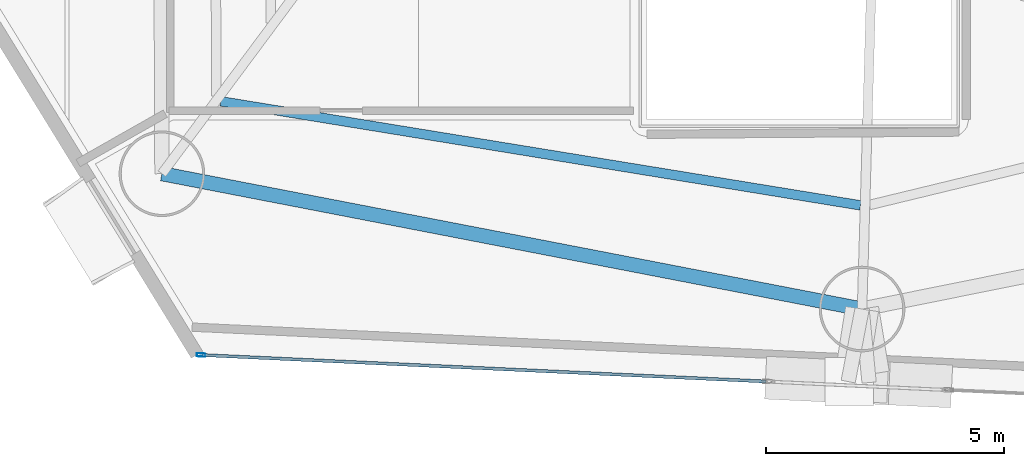
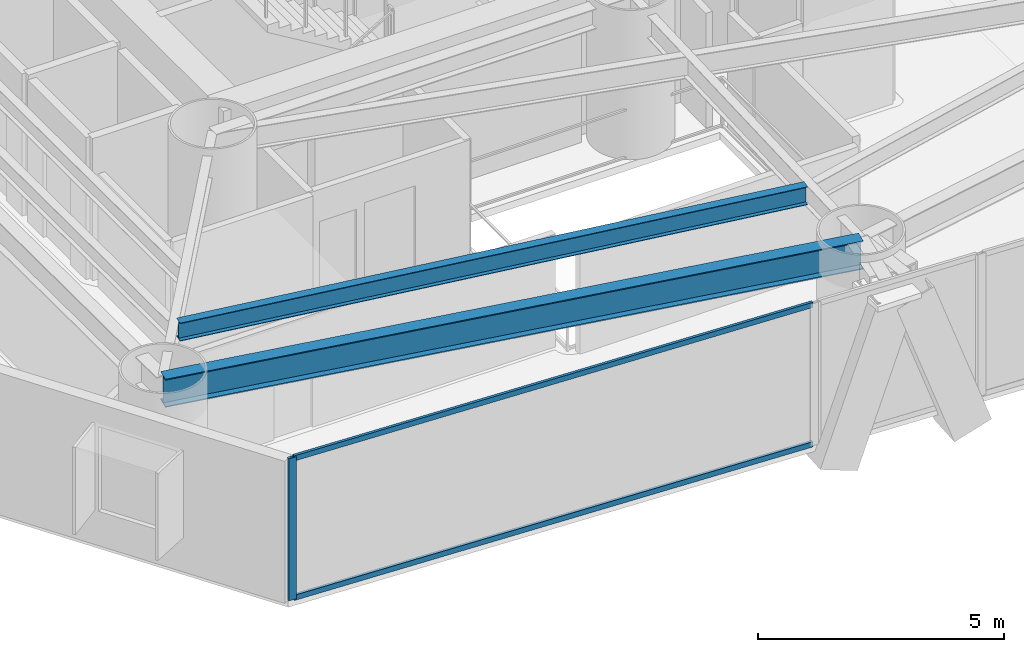
# One storey, part 2 of 23: 3 members, 2 beams, 1 element without a shape of its own.
"""IFC4 building model written with IfcOpenShell, lengths in metres."""

from ifc_helpers import new_model, si_unit, direction, frame, origin, origin_2d, place, context, subcontext, project, spatial, hollow_rectangle, i_section, extrude, material, layer, layer_set, material_profile, profile_set, type_object, element, aggregate, save


model = new_model("IFC4")

# Units and contexts
model_context = context("Model", 3, precision=1e-05, world=origin(), true_north=direction((0.0, 1.0)))
body_context = subcontext(model_context, "Body", "Model", "MODEL_VIEW")
ifc_project = project(units=[si_unit("LENGTHUNIT", "METRE"), si_unit("AREAUNIT", "SQUARE_METRE"), si_unit("VOLUMEUNIT", "CUBIC_METRE"), si_unit("PLANEANGLEUNIT", "RADIAN"), si_unit("MASSUNIT", "GRAM", prefix="KILO")], contexts=[model_context])

# Site, building, storey
site_placement = place(None, origin())
site = spatial("IfcSite", under=ifc_project, at=site_placement, CompositionType="ELEMENT")
building_placement = place(site_placement, origin())
building = spatial("IfcBuilding", under=site, at=building_placement, Name="Qianvela Tower", CompositionType="ELEMENT")
storey_placement = place(building_placement, frame((0.0, 0.0, 36.800048828125)))
storey = spatial("IfcBuildingStorey", under=building, at=storey_placement, Name="L08", CompositionType="ELEMENT", Elevation=36.800048828125)

# Beams
ifc_material_1 = material(Name="Steel Q355B", Category="steel")
ifc_material_profile_1 = material_profile(ifc_material_1, i_section(OverallWidth=0.199951171875, OverallDepth=0.449951171875, WebThickness=0.009033203125, FlangeThickness=0.013916015625, at=origin_2d()), Name="HN450x200x9x14")
ifc_profile_set_1 = profile_set([ifc_material_profile_1], Name="Steel Q355B")
beam_type_1 = type_object("IfcBeamType", Name="BM-HN450-JOIST", PredefinedType="JOIST", material=ifc_profile_set_1)
beam_1_placement = place(storey_placement, frame((24.641845703125, 18.38232421875, 3.29296875), z_axis=(0.987021609832, -0.160587489316, 0.0), x_axis=(0.160587489316, 0.987021609832, 0.0)))
element("IfcBeam", 1, at=beam_1_placement, inside=storey, type_object=beam_type_1, Name="L08 Secondary Composite Floor Joist 5.3", PredefinedType="JOIST", context=body_context, shape_type="SweptSolid", body=[
    extrude(i_section(OverallWidth=0.199951171875, OverallDepth=0.449951171875, WebThickness=0.009033203125, FlangeThickness=0.013916015625, at=origin_2d()), origin(), (0.0, 0.0, 1.0), 13.621826171875),
])
ifc_material_2 = material(Name="Steel Q355B", Category="steel")
ifc_material_profile_2 = material_profile(ifc_material_2, i_section(OverallWidth=0.300048828125, OverallDepth=0.699951171875, WebThickness=0.012939453125, FlangeThickness=0.02392578125, at=origin_2d()), Name="HN700x300x13x24")
ifc_profile_set_2 = profile_set([ifc_material_profile_2], Name="Steel Q355B")
beam_type_2 = type_object("IfcBeamType", Name="BM-HN700-SPAND", PredefinedType="SPANDREL", material=ifc_profile_set_2)
beam_2_placement = place(storey_placement, frame((23.404052734375, 16.860107421875, 3.16796875), z_axis=(0.981833040292, -0.189746886646, 0.0), x_axis=(0.189746886646, 0.981833040292, 0.0)))
element("IfcBeam", 2, at=beam_2_placement, inside=storey, type_object=beam_type_2, Name="L08 Perimeter Ring Spandrel Girder 5", PredefinedType="SPANDREL", context=body_context, shape_type="SweptSolid", body=[
    extrude(i_section(OverallWidth=0.300048828125, OverallDepth=0.699951171875, WebThickness=0.012939453125, FlangeThickness=0.02392578125, at=origin_2d()), origin(), (0.0, 0.0, 1.0), 14.98828125),
])

# Curtain wall, members
ifc_material_3 = material(Name="Anodised Architectural Aluminium and Low-E Glass", Category="aluminium")
ifc_layer = layer(ifc_material_3, 0.179931640625)
ifc_layer_set = layer_set([ifc_layer], Name="Anodised Architectural Aluminium and Low-E Glass")
curtain_wall_type = type_object("IfcCurtainWallType", Name="CW-COLIV-Z12", PredefinedType="USERDEFINED", material=ifc_layer_set)
curtain_wall_placement = place(storey_placement, origin())
curtain_wall = element("IfcCurtainWall", 3, at=curtain_wall_placement, inside=storey, type_object=curtain_wall_type, Name="L08 CW-COLIV-Z12 Curtain Wall 06A", ObjectType="CURTAIN_WALL_SYSTEM", PredefinedType="USERDEFINED")
ifc_material_4 = material(Name="Anodised Architectural Aluminium 6063-T6", Category="aluminium")
ifc_material_profile_3 = material_profile(ifc_material_4, hollow_rectangle(XDim=0.070068359375, YDim=0.179931640625, WallThickness=0.0048828125, at=origin_2d()), Name="ALU-MULL-70x180")
ifc_profile_set_3 = profile_set([ifc_material_profile_3], Name="Anodised Architectural Aluminium 6063-T6")
member_type_1 = type_object("IfcMemberType", Name="CW-COLIV-Z12-MULL", PredefinedType="MULLION", material=ifc_profile_set_3)
member_1_placement = place(storey_placement, frame((24.226318359375, 13.050048828125, 0.0), z_axis=(0.0, 0.0, 1.0), x_axis=(0.046880409477, 0.998900509164, 0.0)))
member_1 = element("IfcMember", 4, at=member_1_placement, type_object=member_type_1, Name="CW-3 mullion 1", PredefinedType="MULLION", context=body_context, shape_type="SweptSolid", body=[
    extrude(hollow_rectangle(XDim=0.070068359375, YDim=0.179931640625, WallThickness=0.0048828125, at=origin_2d()), origin(), (0.0, 0.0, 1.0), 3.52001953125),
])
ifc_material_5 = material(Name="Anodised Architectural Aluminium 6063-T6", Category="aluminium")
ifc_material_profile_4 = material_profile(ifc_material_5, hollow_rectangle(XDim=0.06494140625, YDim=0.1298828125, WallThickness=0.00439453125, at=origin_2d()), Name="ALU-TRAN-65x130")
ifc_profile_set_4 = profile_set([ifc_material_profile_4], Name="Anodised Architectural Aluminium 6063-T6")
member_type_2 = type_object("IfcMemberType", Name="CW-COLIV-Z12-TRAN", PredefinedType="USERDEFINED", material=ifc_profile_set_4)
member_2_placement = place(storey_placement, frame((24.26123046875, 13.04833984375, 0.032470703125), z_axis=(0.998900025315, -0.046890717905, 0.0), x_axis=(0.046890717905, 0.998900025315, 0.0)))
member_2 = element("IfcMember", 5, at=member_2_placement, type_object=member_type_2, Name="CW-3 transom 1.1", ObjectType="TRANSOM", PredefinedType="USERDEFINED", context=body_context, shape_type="SweptSolid", body=[
    extrude(hollow_rectangle(XDim=0.06494140625, YDim=0.1298828125, WallThickness=0.00439453125, at=origin_2d()), origin(), (0.0, 0.0, 1.0), 11.85009765625),
])
member_3_placement = place(storey_placement, frame((24.26123046875, 13.04833984375, 3.487548828125), z_axis=(0.998900025315, -0.046890717905, 0.0), x_axis=(0.046890717905, 0.998900025315, 0.0)))
member_3 = element("IfcMember", 6, at=member_3_placement, type_object=member_type_2, Name="CW-3 transom 1.2", ObjectType="TRANSOM", PredefinedType="USERDEFINED", context=body_context, shape_type="SweptSolid", body=[
    extrude(hollow_rectangle(XDim=0.06494140625, YDim=0.1298828125, WallThickness=0.00439453125, at=origin_2d()), origin(), (0.0, 0.0, 1.0), 11.85009765625),
])
aggregate(curtain_wall, [member_1, member_2, member_3])

save(model, "model.ifc")
